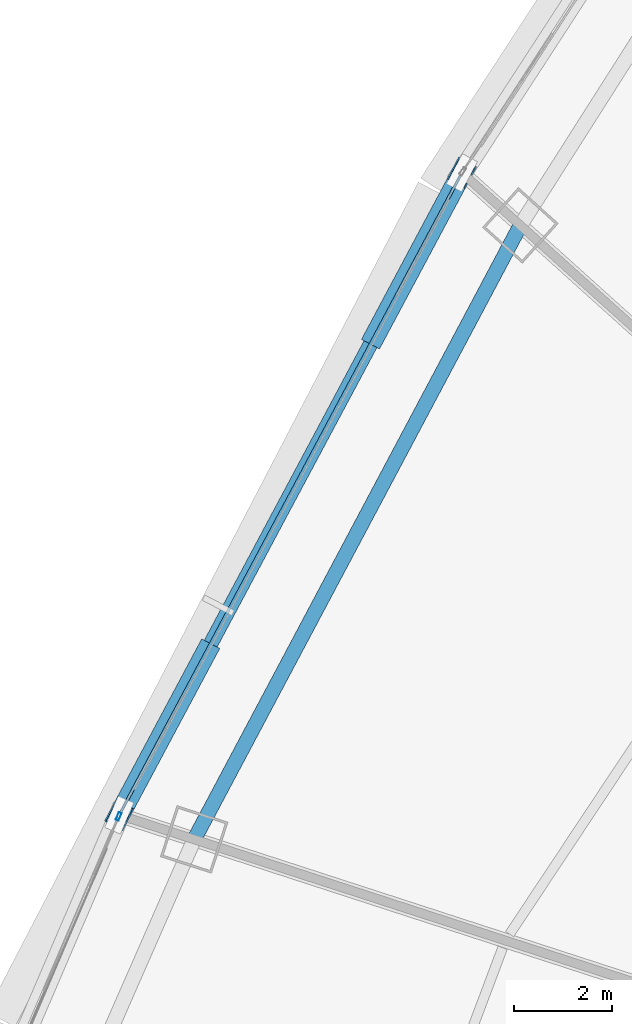
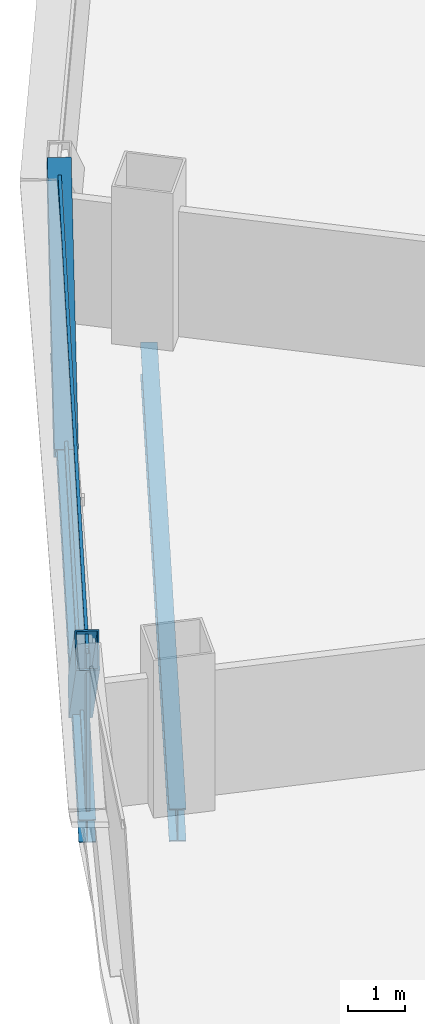
# One storey, part 14 of 42: 5 members, 2 beams, 2 elements without a shape of their own.
"""IFC4 building model written with IfcOpenShell, lengths in metres."""

from ifc_helpers import new_model, si_unit, direction, frame, origin, origin_2d, place, context, subcontext, project, spatial, hollow_rectangle, i_section, extrude, source, transform, mapped, material, layer, layer_set, material_profile, profile_set, type_object, element, aggregate, save


model = new_model("IFC4")

# Units and contexts
model_context = context("Model", 3, precision=1e-05, world=origin(), true_north=direction((0.0, 1.0)))
body_context = subcontext(model_context, "Body", "Model", "MODEL_VIEW")
ifc_project = project(units=[si_unit("LENGTHUNIT", "METRE"), si_unit("AREAUNIT", "SQUARE_METRE"), si_unit("VOLUMEUNIT", "CUBIC_METRE"), si_unit("PLANEANGLEUNIT", "RADIAN"), si_unit("MASSUNIT", "GRAM", prefix="KILO"), si_unit("THERMODYNAMICTEMPERATUREUNIT", "KELVIN"), si_unit("POWERUNIT", "WATT")], contexts=[model_context])

# Site, building, storey
site_placement = place(None, origin())
site = spatial("IfcSite", under=ifc_project, at=site_placement, CompositionType="ELEMENT")
building_placement = place(site_placement, origin())
building = spatial("IfcBuilding", under=site, at=building_placement, Name="Yunzhuo Pagoda Commons", CompositionType="ELEMENT")
storey_placement = place(building_placement, frame((0.0, 0.0, 44.919921875)))
storey = spatial("IfcBuildingStorey", under=building, at=storey_placement, Name="L11", CompositionType="ELEMENT", Elevation=44.919921875)

# Beams
ifc_material_1 = material(Name="Structural steel Q355B", Category="steel")
ifc_material_profile_1 = material_profile(ifc_material_1, i_section(OverallWidth=0.300048828125, OverallDepth=0.699951171875, WebThickness=0.012939453125, FlangeThickness=0.02392578125, at=origin_2d()), Name="Structural steel Q355B")
ifc_profile_set_1 = profile_set([ifc_material_profile_1], Name="Structural steel Q355B")
beam_type_1 = type_object("IfcBeamType", Name="B-RG1 Beam HN 700x300x13x24", PredefinedType="BEAM", material=ifc_profile_set_1)
shared_shape_1 = source(origin(), body_context, "Body", "SweptSolid", [
    extrude(i_section(OverallWidth=0.300048828125, OverallDepth=0.699951171875, WebThickness=0.012939453125, FlangeThickness=0.02392578125, at=origin_2d()), origin(), (0.0, 0.0, 1.0), 14.25390625),
])
beam_1_placement = place(storey_placement, frame((22.351318359375, 56.79443359375, -0.60986328125), z_axis=(-0.469118073628, -0.883135455633, 0.0), x_axis=(0.883135455633, -0.469118073628, 0.0)))
element("IfcBeam", 1, at=beam_1_placement, inside=storey, type_object=beam_type_1, Name="L11 column-ring beam 10", PredefinedType="BEAM", context=body_context, shape_type="MappedRepresentation", body=[
    mapped(shared_shape_1, transform((0.0, 0.0, 0.0), scale=1.0)),
])
ifc_material_profile_2 = material_profile(ifc_material_1, i_section(OverallWidth=0.300048828125, OverallDepth=0.488037109375, WebThickness=0.010986328125, FlangeThickness=0.01806640625, at=origin_2d()), Name="Structural steel Q355B")
ifc_profile_set_2 = profile_set([ifc_material_profile_2], Name="Structural steel Q355B")
beam_type_2 = type_object("IfcBeamType", Name="B-SP1 Beam HM 488x300x11x18", PredefinedType="BEAM", material=ifc_profile_set_2)
shared_shape_2 = source(origin(), body_context, "Body", "SweptSolid", [
    extrude(i_section(OverallWidth=0.300048828125, OverallDepth=0.488037109375, WebThickness=0.010986328125, FlangeThickness=0.01806640625, at=origin_2d()), origin(), (0.0, 0.0, 1.0), 14.924072265625),
])
beam_2_placement = place(storey_placement, frame((21.152587890625, 57.873291015625, -0.50390625), z_axis=(-0.470660405107, -0.882314446819, 0.0), x_axis=(0.882314446819, -0.470660405107, 0.0)))
element("IfcBeam", 2, at=beam_2_placement, inside=storey, type_object=beam_type_2, Name="L11 facade edge spandrel beam F3.2", PredefinedType="BEAM", context=body_context, shape_type="MappedRepresentation", body=[
    mapped(shared_shape_2, transform((0.0, 0.0, 0.0), scale=1.0)),
])

# Members
ifc_material_2 = material(Name="Structural steel Q420B", Category="steel")
ifc_material_profile_3 = material_profile(ifc_material_2, hollow_rectangle(XDim=0.419921875, YDim=0.719970703125, WallThickness=0.028076171875, at=origin_2d()), Name="Structural steel Q420B")
ifc_profile_set_3 = profile_set([ifc_material_profile_3], Name="Structural steel Q420B")
member_type_1 = type_object("IfcMemberType", Name="M-DL1 Brace BOX 720x420x28", PredefinedType="BRACE", material=ifc_profile_set_3)
shared_shape_3 = source(origin(), body_context, "Body", "SweptSolid", [
    extrude(hollow_rectangle(XDim=0.419921875, YDim=0.719970703125, WallThickness=0.028076171875, at=origin_2d()), origin(), (0.0, 0.0, 1.0), 5.20556640625),
])
member_1_placement = place(storey_placement, frame((19.396484375, 54.581298828125, -0.260009765625), z_axis=(0.337344792298, 0.632386650821, 0.697341820754), x_axis=(-0.882311277354, 0.470666346634, 0.0)))
element("IfcMember", 3, at=member_1_placement, inside=storey, type_object=member_type_1, Name="L11 facade diamond brace F3.2L", PredefinedType="BRACE", context=body_context, shape_type="MappedRepresentation", body=[
    mapped(shared_shape_3, transform((0.0, 0.0, 0.0), scale=1.0)),
])
shared_shape_4 = source(origin(), body_context, "Body", "SweptSolid", [
    extrude(hollow_rectangle(XDim=0.419921875, YDim=0.719970703125, WallThickness=0.028076171875, at=origin_2d()), origin(), (0.0, 0.0, 1.0), 5.205810546875),
])
member_2_placement = place(storey_placement, frame((15.884765625, 47.99755859375, -0.260009765625), z_axis=(-0.33738635317, -0.632376645281, 0.697330787502), x_axis=(0.882284103691, -0.47071728285, 0.0)))
element("IfcMember", 4, at=member_2_placement, inside=storey, type_object=member_type_1, Name="L11 facade diamond brace F3.2R", PredefinedType="BRACE", context=body_context, shape_type="MappedRepresentation", body=[
    mapped(shared_shape_4, transform((0.0, 0.0, 0.0), scale=1.0)),
])

# Curtain wall, member
ifc_material_3 = material(Name="Anodized aluminium 6063-T6", Category="aluminium")
ifc_layer = layer(ifc_material_3, 0.1650390625)
ifc_layer_set = layer_set([ifc_layer], Name="Anodized aluminium 6063-T6")
curtain_wall_type = type_object("IfcCurtainWallType", Name="CW-LOW Low-Zone Ribbon Curtain Wall", PredefinedType="NOTDEFINED", material=ifc_layer_set)
curtain_wall_1_placement = place(storey_placement, origin())
curtain_wall_1 = element("IfcCurtainWall", 5, at=curtain_wall_1_placement, inside=storey, type_object=curtain_wall_type, Name="L11 curtain wall CW-L11-F3B4", PredefinedType="NOTDEFINED")
ifc_material_profile_4 = material_profile(ifc_material_3, hollow_rectangle(XDim=0.06494140625, YDim=0.1650390625, WallThickness=0.00390625, at=origin_2d()), Name="Anodized aluminium 6063-T6")
ifc_profile_set_4 = profile_set([ifc_material_profile_4], Name="Anodized aluminium 6063-T6")
member_type_2 = type_object("IfcMemberType", Name="CW-LOW-M Mullion RHS 165x65x4", PredefinedType="MULLION", material=ifc_profile_set_4)
shared_shape_5 = source(origin(), body_context, "Body", "SweptSolid", [
    extrude(hollow_rectangle(XDim=0.06494140625, YDim=0.1650390625, WallThickness=0.00390625, at=origin_2d()), origin(), (0.0, 0.0, 1.0), 3.3701171875),
])
member_3_placement = place(storey_placement, frame((14.11572265625, 44.67578125, 0.0), z_axis=(0.0, 0.0, 1.0), x_axis=(0.918865619656, -0.394570618538, 0.0)))
member_3 = element("IfcMember", 6, at=member_3_placement, type_object=member_type_2, Name="CW mullion 1", PredefinedType="MULLION", context=body_context, shape_type="MappedRepresentation", body=[
    mapped(shared_shape_5, transform((0.0, 0.0, 0.0), scale=1.0)),
])
aggregate(curtain_wall_1, [member_3])

# Curtain wall, members
curtain_wall_2_placement = place(storey_placement, origin())
curtain_wall_2 = element("IfcCurtainWall", 7, at=curtain_wall_2_placement, inside=storey, type_object=curtain_wall_type, Name="L11 curtain wall CW-L11-F3B3", PredefinedType="NOTDEFINED")
ifc_material_profile_5 = material_profile(ifc_material_3, hollow_rectangle(XDim=0.06005859375, YDim=0.139892578125, WallThickness=0.00341796875, at=origin_2d()), Name="Anodized aluminium 6063-T6")
ifc_profile_set_5 = profile_set([ifc_material_profile_5], Name="Anodized aluminium 6063-T6")
member_type_3 = type_object("IfcMemberType", Name="CW-LOW-T Transom RHS 140x60x3.5", PredefinedType="USERDEFINED", material=ifc_profile_set_5)
shared_shape_6 = source(origin(), body_context, "Body", "SweptSolid", [
    extrude(hollow_rectangle(XDim=0.06005859375, YDim=0.139892578125, WallThickness=0.00341796875, at=origin_2d()), origin(), (0.0, 0.0, 1.0), 14.7939453125),
])
member_4_placement = place(storey_placement, frame((21.1220703125, 57.816162109375, 0.030029296875), z_axis=(-0.470656757161, -0.882316392763, 0.0), x_axis=(0.882316392763, -0.470656757161, 0.0)))
member_4 = element("IfcMember", 8, at=member_4_placement, type_object=member_type_3, Name="CW transom 1.1", ObjectType="TRANSOM", PredefinedType="USERDEFINED", context=body_context, shape_type="MappedRepresentation", body=[
    mapped(shared_shape_6, transform((0.0, 0.0, 0.0), scale=1.0)),
])
member_5_placement = place(storey_placement, frame((21.1220703125, 57.816162109375, 3.340087890625), z_axis=(-0.470656757161, -0.882316392763, 0.0), x_axis=(0.882316392763, -0.470656757161, 0.0)))
member_5 = element("IfcMember", 9, at=member_5_placement, type_object=member_type_3, Name="CW transom 1.2", ObjectType="TRANSOM", PredefinedType="USERDEFINED", context=body_context, shape_type="MappedRepresentation", body=[
    mapped(shared_shape_6, transform((0.0, 0.0, 0.0), scale=1.0)),
])
aggregate(curtain_wall_2, [member_4, member_5])

save(model, "model.ifc")
